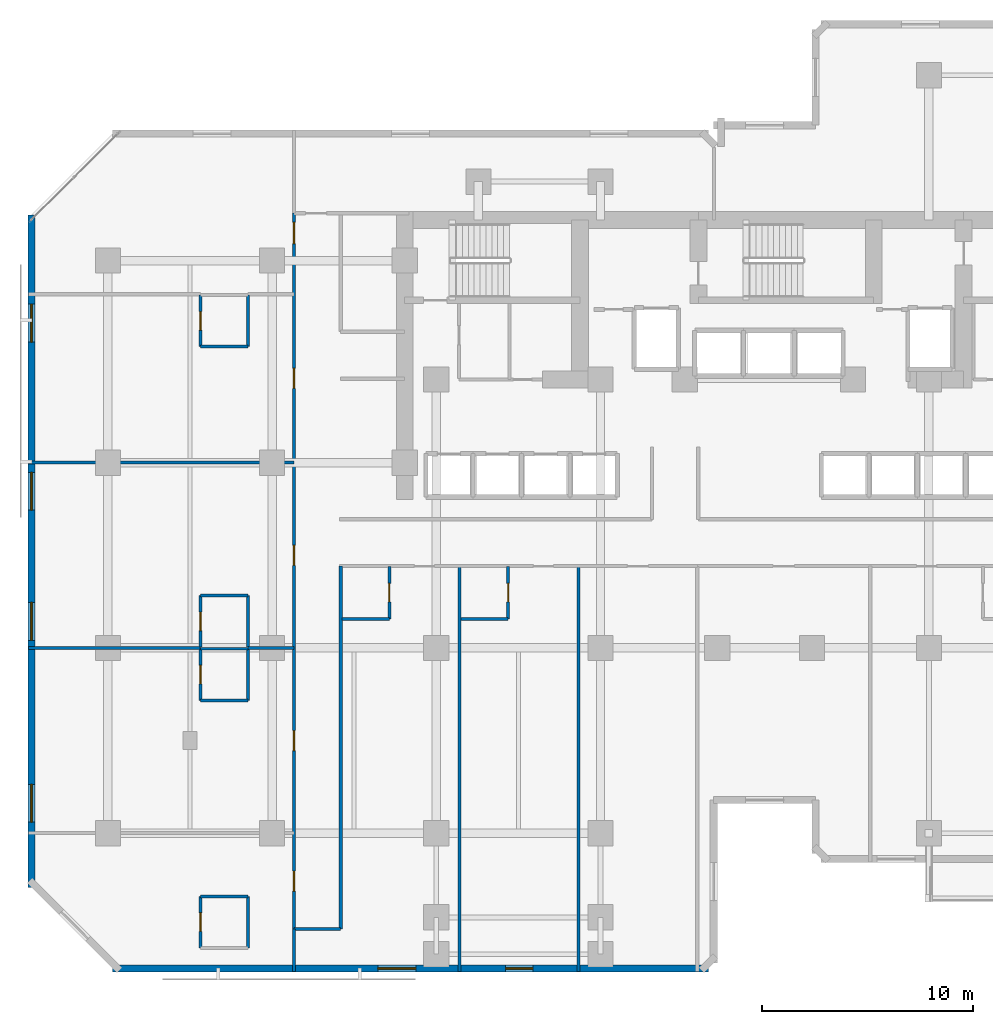
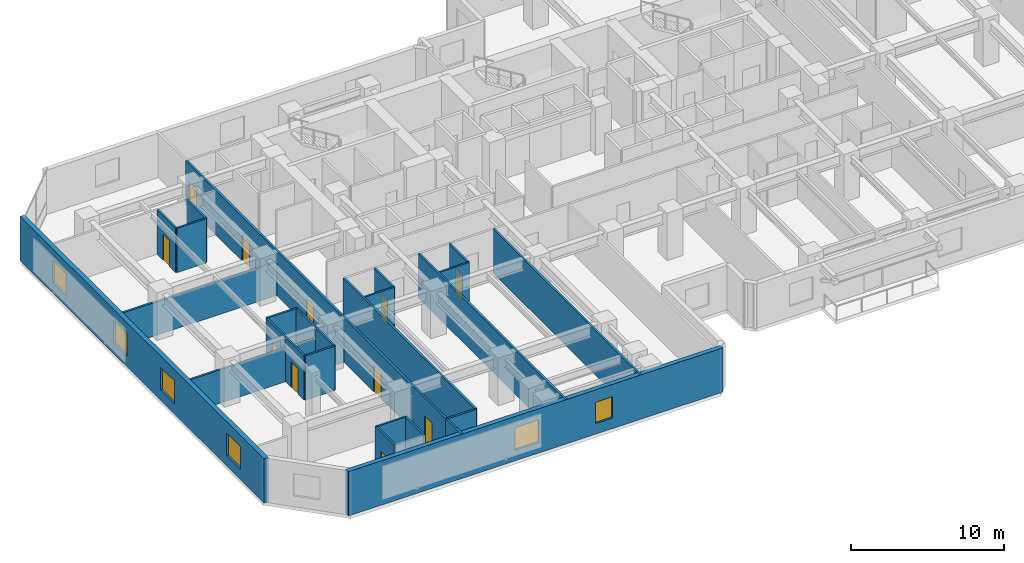
# One storey, part 6 of 13: 28 walls, 11 doors, 6 windows, 17 openings.
"""IFC4 building model written with IfcOpenShell, lengths in metres."""

from ifc_helpers import new_model, si_unit, direction, frame, frame_2d, origin, place, context, subcontext, project, spatial, rectangle, extrude, material, layer, layer_set, type_object, element, fill, save


model = new_model("IFC4")

# Units and contexts
model_context = context("Model", 3, precision=1e-05, world=origin(), true_north=direction((0.0, 1.0)))
body_context = subcontext(model_context, "Body", "Model", "MODEL_VIEW")
ifc_project = project(units=[si_unit("LENGTHUNIT", "METRE"), si_unit("AREAUNIT", "SQUARE_METRE"), si_unit("VOLUMEUNIT", "CUBIC_METRE"), si_unit("PLANEANGLEUNIT", "RADIAN"), si_unit("MASSUNIT", "GRAM", prefix="KILO")], contexts=[model_context])

# Site, building, storey
site_placement = place(None, origin())
site = spatial("IfcSite", under=ifc_project, at=site_placement, CompositionType="ELEMENT")
building_placement = place(site_placement, origin())
building = spatial("IfcBuilding", under=site, at=building_placement, Name="Kestravale Grand Hotel", CompositionType="ELEMENT")
storey_placement = place(building_placement, frame((0.0, 0.0, 88.0)))
storey = spatial("IfcBuildingStorey", under=building, at=storey_placement, Name="L21", CompositionType="ELEMENT", Elevation=88.0)

# Wall, openings, windows
ifc_material_1 = material(Name="Precast concrete f'c 45 MPa", Category="concrete")
ifc_layer_1 = layer(ifc_material_1, 0.340087890625)
ifc_layer_set_1 = layer_set([ifc_layer_1], Name="EW-PREC-340")
wall_type_1 = type_object("IfcWallType", Name="EW-PREC-340", PredefinedType="SOLIDWALL", material=ifc_layer_set_1)
wall_1_placement = place(storey_placement, frame((8.030029296875, 4.77001953125, 0.0), z_axis=(0.0, 0.0, 1.0), x_axis=(1.0, 0.0, 0.0)))
wall_1 = element("IfcWall", 1, at=wall_1_placement, inside=storey, type_object=wall_type_1, Name="L21 fluted precast facade wall 1", PredefinedType="SOLIDWALL", context=body_context, shape_type="SweptSolid", body=[
    extrude(rectangle(XDim=28.2900390625, YDim=0.340087890625, at=frame_2d((14.14501953125, 0.0))), origin(), (0.0, 0.0, 1.0), 3.5400390625),
])
opening_1_placement = place(wall_1_placement, frame((12.594970703125, 0.0, 0.85009765625)))
opening_1 = element("IfcOpeningElement", 2, at=opening_1_placement, cuts=wall_1, Name="Opening W-GUEST-1800", PredefinedType="OPENING", context=body_context, shape_type="SweptSolid", body=[
    extrude(rectangle(XDim=1.800048828125, YDim=1.800048828125, at=frame_2d((0.89990234375, 0.89990234375))), frame((0.0, 0.179931640625, 0.0), z_axis=(0.0, -1.0, 0.0), x_axis=(1.0, 0.0, 0.0)), (0.0, 0.0, 1.0), 0.360107421875),
])
opening_2_placement = place(wall_1_placement, frame((18.659912109375, 0.0, 0.85009765625)))
opening_2 = element("IfcOpeningElement", 3, at=opening_2_placement, cuts=wall_1, Name="Opening W-GUEST-1300", PredefinedType="OPENING", context=body_context, shape_type="SweptSolid", body=[
    extrude(rectangle(XDim=1.300048828125, YDim=1.699951171875, at=frame_2d((0.64990234375, 0.85009765625))), frame((0.0, 0.179931640625, 0.0), z_axis=(0.0, -1.0, 0.0), x_axis=(1.0, 0.0, 0.0)), (0.0, 0.0, 1.0), 0.360107421875),
])
ifc_material_2 = material(Name="Insulated low-E double glazing in aluminium frame", Category="aluminium")
window_type_1 = type_object("IfcWindowType", Name="W-GUEST-1300", PartitioningType="SINGLE_PANEL", PredefinedType="WINDOW", material=ifc_material_2)
window_1_placement = place(opening_2_placement, origin())
window_1 = element("IfcWindow", 4, at=window_1_placement, inside=storey, type_object=window_type_1, Name="L21 guestroom envelope window 1", OverallHeight=1.699951171875, OverallWidth=1.300048828125, PartitioningType="SINGLE_PANEL", PredefinedType="WINDOW", context=body_context, shape_type="SweptSolid", body=[
    extrude(rectangle(XDim=1.300048828125, YDim=1.699951171875, at=frame_2d((0.64990234375, 0.85009765625))), frame((0.0, 0.030029296875, 0.0), z_axis=(0.0, -1.0, 0.0), x_axis=(1.0, 0.0, 0.0)), (0.0, 0.0, 1.0), 0.06005859375),
])
fill(opening_2, window_1)
ifc_material_3 = material(Name="Insulated low-E double glazing in aluminium frame", Category="aluminium")
window_type_2 = type_object("IfcWindowType", Name="W-GUEST-1800", PartitioningType="DOUBLE_PANEL_VERTICAL", PredefinedType="WINDOW", material=ifc_material_3)
window_2_placement = place(opening_1_placement, origin())
window_2 = element("IfcWindow", 5, at=window_2_placement, inside=storey, type_object=window_type_2, Name="L21 exterior window 1.1", OverallHeight=1.800048828125, OverallWidth=1.800048828125, PartitioningType="SINGLE_PANEL", PredefinedType="WINDOW", context=body_context, shape_type="SweptSolid", body=[
    extrude(rectangle(XDim=1.800048828125, YDim=1.800048828125, at=frame_2d((0.89990234375, 0.89990234375))), frame((0.0, 0.030029296875, 0.0), z_axis=(0.0, -1.0, 0.0), x_axis=(1.0, 0.0, 0.0)), (0.0, 0.0, 1.0), 0.06005859375),
])
fill(opening_1, window_2)

wall_2_placement = place(storey_placement, frame((4.169921875, 40.570068359375, 0.0), z_axis=(0.0, 0.0, 1.0), x_axis=(0.0, -1.0, 0.0)))
wall_2 = element("IfcWall", 6, at=wall_2_placement, inside=storey, type_object=wall_type_1, Name="L21 fluted precast facade wall 19", PredefinedType="SOLIDWALL", context=body_context, shape_type="SweptSolid", body=[
    extrude(rectangle(XDim=31.940185546875, YDim=0.340087890625, at=frame_2d((15.97021484375, 0.0))), origin(), (0.0, 0.0, 1.0), 3.5400390625),
])
opening_3_placement = place(wall_2_placement, frame((4.242431640625, 0.0, 0.85009765625)))
opening_3 = element("IfcOpeningElement", 7, at=opening_3_placement, cuts=wall_2, Name="Opening W-GUEST-1800", PredefinedType="OPENING", context=body_context, shape_type="SweptSolid", body=[
    extrude(rectangle(XDim=1.800048828125, YDim=1.800048828125, at=frame_2d((0.89990234375, 0.89990234375))), frame((0.0, 0.179931640625, 0.0), z_axis=(0.0, -1.0, 0.0), x_axis=(1.0, 0.0, 0.0)), (0.0, 0.0, 1.0), 0.360107421875),
])
opening_4_placement = place(wall_2_placement, frame((12.2275390625, 0.0, 0.85009765625)))
opening_4 = element("IfcOpeningElement", 8, at=opening_4_placement, cuts=wall_2, Name="Opening W-GUEST-1800", PredefinedType="OPENING", context=body_context, shape_type="SweptSolid", body=[
    extrude(rectangle(XDim=1.800048828125, YDim=1.800048828125, at=frame_2d((0.89990234375, 0.89990234375))), frame((0.0, 0.179931640625, 0.0), z_axis=(0.0, -1.0, 0.0), x_axis=(1.0, 0.0, 0.0)), (0.0, 0.0, 1.0), 0.360107421875),
])
opening_5_placement = place(wall_2_placement, frame((18.41259765625, 0.0, 0.85009765625)))
opening_5 = element("IfcOpeningElement", 9, at=opening_5_placement, cuts=wall_2, Name="Opening W-GUEST-1800", PredefinedType="OPENING", context=body_context, shape_type="SweptSolid", body=[
    extrude(rectangle(XDim=1.800048828125, YDim=1.800048828125, at=frame_2d((0.89990234375, 0.89990234375))), frame((0.0, 0.179931640625, 0.0), z_axis=(0.0, -1.0, 0.0), x_axis=(1.0, 0.0, 0.0)), (0.0, 0.0, 1.0), 0.360107421875),
])
opening_6_placement = place(wall_2_placement, frame((27.047607421875, 0.0, 0.85009765625)))
opening_6 = element("IfcOpeningElement", 10, at=opening_6_placement, cuts=wall_2, Name="Opening W-GUEST-1800", PredefinedType="OPENING", context=body_context, shape_type="SweptSolid", body=[
    extrude(rectangle(XDim=1.800048828125, YDim=1.800048828125, at=frame_2d((0.89990234375, 0.89990234375))), frame((0.0, 0.179931640625, 0.0), z_axis=(0.0, -1.0, 0.0), x_axis=(1.0, 0.0, 0.0)), (0.0, 0.0, 1.0), 0.360107421875),
])
window_3_placement = place(opening_3_placement, origin())
window_3 = element("IfcWindow", 11, at=window_3_placement, inside=storey, type_object=window_type_2, Name="L21 exterior window 19.1", OverallHeight=1.800048828125, OverallWidth=1.800048828125, PartitioningType="SINGLE_PANEL", PredefinedType="WINDOW", context=body_context, shape_type="SweptSolid", body=[
    extrude(rectangle(XDim=1.800048828125, YDim=1.800048828125, at=frame_2d((0.89990234375, 0.89990234375))), frame((0.0, 0.030029296875, 0.0), z_axis=(0.0, -1.0, 0.0), x_axis=(1.0, 0.0, 0.0)), (0.0, 0.0, 1.0), 0.06005859375),
])
fill(opening_3, window_3)
window_4_placement = place(opening_4_placement, origin())
window_4 = element("IfcWindow", 12, at=window_4_placement, inside=storey, type_object=window_type_2, Name="L21 exterior window 19.2", OverallHeight=1.800048828125, OverallWidth=1.800048828125, PartitioningType="SINGLE_PANEL", PredefinedType="WINDOW", context=body_context, shape_type="SweptSolid", body=[
    extrude(rectangle(XDim=1.800048828125, YDim=1.800048828125, at=frame_2d((0.89990234375, 0.89990234375))), frame((0.0, 0.030029296875, 0.0), z_axis=(0.0, -1.0, 0.0), x_axis=(1.0, 0.0, 0.0)), (0.0, 0.0, 1.0), 0.06005859375),
])
fill(opening_4, window_4)
window_5_placement = place(opening_5_placement, origin())
window_5 = element("IfcWindow", 13, at=window_5_placement, inside=storey, type_object=window_type_2, Name="L21 exterior window 19.3", OverallHeight=1.800048828125, OverallWidth=1.800048828125, PartitioningType="SINGLE_PANEL", PredefinedType="WINDOW", context=body_context, shape_type="SweptSolid", body=[
    extrude(rectangle(XDim=1.800048828125, YDim=1.800048828125, at=frame_2d((0.89990234375, 0.89990234375))), frame((0.0, 0.030029296875, 0.0), z_axis=(0.0, -1.0, 0.0), x_axis=(1.0, 0.0, 0.0)), (0.0, 0.0, 1.0), 0.06005859375),
])
fill(opening_5, window_5)
window_6_placement = place(opening_6_placement, origin())
window_6 = element("IfcWindow", 14, at=window_6_placement, inside=storey, type_object=window_type_2, Name="L21 exterior window 19.4", OverallHeight=1.800048828125, OverallWidth=1.800048828125, PartitioningType="SINGLE_PANEL", PredefinedType="WINDOW", context=body_context, shape_type="SweptSolid", body=[
    extrude(rectangle(XDim=1.800048828125, YDim=1.800048828125, at=frame_2d((0.89990234375, 0.89990234375))), frame((0.0, 0.030029296875, 0.0), z_axis=(0.0, -1.0, 0.0), x_axis=(1.0, 0.0, 0.0)), (0.0, 0.0, 1.0), 0.06005859375),
])
fill(opening_6, window_6)

# Wall, openings, doors
ifc_material_4 = material(Name="Acoustic fire-rated gypsum board partition", Category="other")
ifc_layer_2 = layer(ifc_material_4, 0.159912109375)
ifc_layer_set_2 = layer_set([ifc_layer_2], Name="IW-CORR-160")
wall_type_2 = type_object("IfcWallType", Name="IW-CORR-160", PredefinedType="PARTITIONING", material=ifc_layer_set_2)
wall_3_placement = place(storey_placement, frame((16.639892578125, 6.64990234375, 0.0), z_axis=(0.0, 0.0, 1.0), x_axis=(0.0, 1.0, 0.0)))
wall_3 = element("IfcWall", 15, at=wall_3_placement, inside=storey, type_object=wall_type_2, Name="W-L21-SW-W", PredefinedType="PARTITIONING", context=body_context, shape_type="SweptSolid", body=[
    extrude(rectangle(XDim=34.0, YDim=0.159912109375, at=frame_2d((17.0, 0.0))), origin(), (0.0, 0.0, 1.0), 3.5400390625),
])
opening_7_placement = place(wall_3_placement, frame((1.800048828125, 0.0, 0.0)))
opening_7 = element("IfcOpeningElement", 16, at=opening_7_placement, cuts=wall_3, Name="Opening D-GUEST-950", PredefinedType="OPENING", context=body_context, shape_type="SweptSolid", body=[
    extrude(rectangle(XDim=0.949951171875, YDim=2.10009765625, at=frame_2d((0.47509765625, 1.050048828125))), frame((0.0, 0.08984375, 0.0), z_axis=(0.0, -1.0, 0.0), x_axis=(1.0, 0.0, 0.0)), (0.0, 0.0, 1.0), 0.179931640625),
])
opening_8_placement = place(wall_3_placement, frame((8.47509765625, 0.0, 0.0)))
opening_8 = element("IfcOpeningElement", 17, at=opening_8_placement, cuts=wall_3, Name="Opening D-GUEST-950", PredefinedType="OPENING", context=body_context, shape_type="SweptSolid", body=[
    extrude(rectangle(XDim=0.949951171875, YDim=2.10009765625, at=frame_2d((0.47509765625, 1.050048828125))), frame((0.0, 0.08984375, 0.0), z_axis=(0.0, -1.0, 0.0), x_axis=(1.0, 0.0, 0.0)), (0.0, 0.0, 1.0), 0.179931640625),
])
opening_9_placement = place(wall_3_placement, frame((17.27490234375, 0.0, 0.0)))
opening_9 = element("IfcOpeningElement", 18, at=opening_9_placement, cuts=wall_3, Name="Opening D-GUEST-950", PredefinedType="OPENING", context=body_context, shape_type="SweptSolid", body=[
    extrude(rectangle(XDim=0.949951171875, YDim=2.10009765625, at=frame_2d((0.47509765625, 1.050048828125))), frame((0.0, 0.08984375, 0.0), z_axis=(0.0, -1.0, 0.0), x_axis=(1.0, 0.0, 0.0)), (0.0, 0.0, 1.0), 0.179931640625),
])
opening_10_placement = place(wall_3_placement, frame((25.675048828125, 0.0, 0.0)))
opening_10 = element("IfcOpeningElement", 19, at=opening_10_placement, cuts=wall_3, Name="Opening D-GUEST-950", PredefinedType="OPENING", context=body_context, shape_type="SweptSolid", body=[
    extrude(rectangle(XDim=0.949951171875, YDim=2.10009765625, at=frame_2d((0.47509765625, 1.050048828125))), frame((0.0, 0.08984375, 0.0), z_axis=(0.0, -1.0, 0.0), x_axis=(1.0, 0.0, 0.0)), (0.0, 0.0, 1.0), 0.179931640625),
])
opening_11_placement = place(wall_3_placement, frame((32.56005859375, 0.0, 0.0)))
opening_11 = element("IfcOpeningElement", 20, at=opening_11_placement, cuts=wall_3, Name="Opening D-GUEST-1000", PredefinedType="OPENING", context=body_context, shape_type="SweptSolid", body=[
    extrude(rectangle(XDim=1.0, YDim=2.14990234375, at=frame_2d((0.5, 1.074951171875))), frame((0.0, 0.08984375, 0.0), z_axis=(0.0, -1.0, 0.0), x_axis=(1.0, 0.0, 0.0)), (0.0, 0.0, 1.0), 0.179931640625),
])
ifc_material_5 = material(Name="Accessible walnut veneer hotel entrance fire door", Category="wood")
door_type_1 = type_object("IfcDoorType", Name="D-GUEST-1000", OperationType="NOTDEFINED", PredefinedType="DOOR", material=ifc_material_5)
door_1_placement = place(opening_11_placement, origin())
door_1 = element("IfcDoor", 21, at=door_1_placement, inside=storey, type_object=door_type_1, Name="D-L21-AMWW", OperationType="SINGLE_SWING_LEFT", OverallHeight=2.14990234375, OverallWidth=1.0, PredefinedType="DOOR", context=body_context, shape_type="SweptSolid", body=[
    extrude(rectangle(XDim=1.0, YDim=2.14990234375, at=frame_2d((0.5, 1.074951171875))), frame((0.0, 0.02490234375, 0.0), z_axis=(0.0, -1.0, 0.0), x_axis=(1.0, 0.0, 0.0)), (0.0, 0.0, 1.0), 0.050048828125),
])
fill(opening_11, door_1)
ifc_material_6 = material(Name="Walnut veneer hotel guestroom entrance fire door", Category="wood")
door_type_2 = type_object("IfcDoorType", Name="D-GUEST-950", OperationType="NOTDEFINED", PredefinedType="DOOR", material=ifc_material_6)
door_2_placement = place(opening_7_placement, origin())
door_2 = element("IfcDoor", 22, at=door_2_placement, inside=storey, type_object=door_type_2, Name="D-L21-U05-ENT", OperationType="SINGLE_SWING_RIGHT", OverallHeight=2.10009765625, OverallWidth=0.949951171875, PredefinedType="DOOR", context=body_context, shape_type="SweptSolid", body=[
    extrude(rectangle(XDim=0.949951171875, YDim=2.10009765625, at=frame_2d((0.47509765625, 1.050048828125))), frame((0.0, 0.02490234375, 0.0), z_axis=(0.0, -1.0, 0.0), x_axis=(1.0, 0.0, 0.0)), (0.0, 0.0, 1.0), 0.050048828125),
])
fill(opening_7, door_2)
door_3_placement = place(opening_8_placement, origin())
door_3 = element("IfcDoor", 23, at=door_3_placement, inside=storey, type_object=door_type_2, Name="D-L21-U06-ENT", OperationType="SINGLE_SWING_RIGHT", OverallHeight=2.10009765625, OverallWidth=0.949951171875, PredefinedType="DOOR", context=body_context, shape_type="SweptSolid", body=[
    extrude(rectangle(XDim=0.949951171875, YDim=2.10009765625, at=frame_2d((0.47509765625, 1.050048828125))), frame((0.0, 0.02490234375, 0.0), z_axis=(0.0, -1.0, 0.0), x_axis=(1.0, 0.0, 0.0)), (0.0, 0.0, 1.0), 0.050048828125),
])
fill(opening_8, door_3)
door_4_placement = place(opening_9_placement, origin())
door_4 = element("IfcDoor", 24, at=door_4_placement, inside=storey, type_object=door_type_2, Name="D-L21-U07-ENT", OperationType="SINGLE_SWING_RIGHT", OverallHeight=2.10009765625, OverallWidth=0.949951171875, PredefinedType="DOOR", context=body_context, shape_type="SweptSolid", body=[
    extrude(rectangle(XDim=0.949951171875, YDim=2.10009765625, at=frame_2d((0.47509765625, 1.050048828125))), frame((0.0, 0.02490234375, 0.0), z_axis=(0.0, -1.0, 0.0), x_axis=(1.0, 0.0, 0.0)), (0.0, 0.0, 1.0), 0.050048828125),
])
fill(opening_9, door_4)
door_5_placement = place(opening_10_placement, origin())
door_5 = element("IfcDoor", 25, at=door_5_placement, inside=storey, type_object=door_type_2, Name="D-L21-U08-ENT", OperationType="SINGLE_SWING_RIGHT", OverallHeight=2.10009765625, OverallWidth=0.949951171875, PredefinedType="DOOR", context=body_context, shape_type="SweptSolid", body=[
    extrude(rectangle(XDim=0.949951171875, YDim=2.10009765625, at=frame_2d((0.47509765625, 1.050048828125))), frame((0.0, 0.02490234375, 0.0), z_axis=(0.0, -1.0, 0.0), x_axis=(1.0, 0.0, 0.0)), (0.0, 0.0, 1.0), 0.050048828125),
])
fill(opening_10, door_5)

# Wall
wall_4_placement = place(storey_placement, frame((18.860107421875, 6.64990234375, 0.0), z_axis=(0.0, 0.0, 1.0), x_axis=(0.0, 1.0, 0.0)))
element("IfcWall", 26, at=wall_4_placement, inside=storey, type_object=wall_type_2, Name="W-L21-SW-E", PredefinedType="PARTITIONING", context=body_context, shape_type="SweptSolid", body=[
    extrude(rectangle(XDim=17.239990234375, YDim=0.159912109375, at=frame_2d((8.6201171875, 0.0))), origin(), (0.0, 0.0, 1.0), 3.5400390625),
])

# Wall, opening, door
ifc_material_7 = material(Name="Moisture-resistant tile-backer plumbing chase wall", Category="other")
ifc_layer_3 = layer(ifc_material_7, 0.139892578125)
ifc_layer_set_3 = layer_set([ifc_layer_3], Name="IW-PLB-140")
wall_type_3 = type_object("IfcWallType", Name="IW-PLB-140", PredefinedType="PLUMBINGWALL", material=ifc_layer_set_3)
wall_5_placement = place(storey_placement, frame((21.169921875, 21.3798828125, 0.0), z_axis=(0.0, 0.0, 1.0), x_axis=(0.0, 1.0, 0.0)))
wall_5 = element("IfcWall", 27, at=wall_5_placement, inside=storey, type_object=wall_type_3, Name="W-L21-U01-BE", PredefinedType="PLUMBINGWALL", context=body_context, shape_type="SweptSolid", body=[
    extrude(rectangle(XDim=2.490234375, YDim=0.139892578125, at=frame_2d((1.2451171875, 0.0))), origin(), (0.0, 0.0, 1.0), 3.5400390625),
])
opening_12_placement = place(wall_5_placement, frame((0.804931640625, 0.0, 0.0)))
opening_12 = element("IfcOpeningElement", 28, at=opening_12_placement, cuts=wall_5, Name="Opening D-BATH-880", PredefinedType="OPENING", context=body_context, shape_type="SweptSolid", body=[
    extrude(rectangle(XDim=0.8798828125, YDim=2.050048828125, at=frame_2d((0.43994140625, 1.02490234375))), frame((0.0, 0.079833984375, 0.0), z_axis=(0.0, -1.0, 0.0), x_axis=(1.0, 0.0, 0.0)), (0.0, 0.0, 1.0), 0.159912109375),
])
ifc_material_8 = material(Name="Moisture-sealed walnut en-suite bathroom door", Category="wood")
door_type_3 = type_object("IfcDoorType", Name="D-BATH-880", OperationType="NOTDEFINED", PredefinedType="DOOR", material=ifc_material_8)
door_6_placement = place(opening_12_placement, origin())
door_6 = element("IfcDoor", 29, at=door_6_placement, inside=storey, type_object=door_type_3, Name="D-L21-U01-BATH", OperationType="SINGLE_SWING_LEFT", OverallHeight=2.050048828125, OverallWidth=0.8798828125, PredefinedType="DOOR", context=body_context, shape_type="SweptSolid", body=[
    extrude(rectangle(XDim=0.8798828125, YDim=2.050048828125, at=frame_2d((0.43994140625, 1.02490234375))), frame((0.0, 0.02490234375, 0.0), z_axis=(0.0, -1.0, 0.0), x_axis=(1.0, 0.0, 0.0)), (0.0, 0.0, 1.0), 0.050048828125),
])
fill(opening_12, door_6)

# Wall
wall_6_placement = place(storey_placement, frame((18.919921875, 21.3798828125, 0.0), z_axis=(0.0, 0.0, 1.0), x_axis=(1.0, 0.0, 0.0)))
element("IfcWall", 30, at=wall_6_placement, inside=storey, type_object=wall_type_3, Name="W-L21-U01-BS", PredefinedType="PLUMBINGWALL", context=body_context, shape_type="SweptSolid", body=[
    extrude(rectangle(XDim=2.25, YDim=0.139892578125, at=frame_2d((1.125, 0.0))), origin(), (0.0, 0.0, 1.0), 3.5400390625),
])

# Wall, opening, door
wall_7_placement = place(storey_placement, frame((26.816650390625, 21.3798828125, 0.0), z_axis=(0.0, 0.0, 1.0), x_axis=(0.0, 1.0, 0.0)))
wall_7 = element("IfcWall", 31, at=wall_7_placement, inside=storey, type_object=wall_type_3, Name="W-L21-U02-BE", PredefinedType="PLUMBINGWALL", context=body_context, shape_type="SweptSolid", body=[
    extrude(rectangle(XDim=2.490234375, YDim=0.139892578125, at=frame_2d((1.2451171875, 0.0))), origin(), (0.0, 0.0, 1.0), 3.5400390625),
])
opening_13_placement = place(wall_7_placement, frame((0.804931640625, 0.0, 0.0)))
opening_13 = element("IfcOpeningElement", 32, at=opening_13_placement, cuts=wall_7, Name="Opening D-BATH-880", PredefinedType="OPENING", context=body_context, shape_type="SweptSolid", body=[
    extrude(rectangle(XDim=0.8798828125, YDim=2.050048828125, at=frame_2d((0.43994140625, 1.02490234375))), frame((0.0, 0.079833984375, 0.0), z_axis=(0.0, -1.0, 0.0), x_axis=(1.0, 0.0, 0.0)), (0.0, 0.0, 1.0), 0.159912109375),
])
door_7_placement = place(opening_13_placement, origin())
door_7 = element("IfcDoor", 33, at=door_7_placement, inside=storey, type_object=door_type_3, Name="D-L21-U02-BATH", OperationType="SINGLE_SWING_LEFT", OverallHeight=2.050048828125, OverallWidth=0.8798828125, PredefinedType="DOOR", context=body_context, shape_type="SweptSolid", body=[
    extrude(rectangle(XDim=0.8798828125, YDim=2.050048828125, at=frame_2d((0.43994140625, 1.02490234375))), frame((0.0, 0.02490234375, 0.0), z_axis=(0.0, -1.0, 0.0), x_axis=(1.0, 0.0, 0.0)), (0.0, 0.0, 1.0), 0.050048828125),
])
fill(opening_13, door_7)

# Wall
wall_8_placement = place(storey_placement, frame((24.566650390625, 21.3798828125, 0.0), z_axis=(0.0, 0.0, 1.0), x_axis=(1.0, 0.0, 0.0)))
element("IfcWall", 34, at=wall_8_placement, inside=storey, type_object=wall_type_3, Name="W-L21-U02-BS", PredefinedType="PLUMBINGWALL", context=body_context, shape_type="SweptSolid", body=[
    extrude(rectangle(XDim=2.25, YDim=0.139892578125, at=frame_2d((1.125, 0.0))), origin(), (0.0, 0.0, 1.0), 3.5400390625),
])

# Wall, opening, door
wall_9_placement = place(storey_placement, frame((12.199951171875, 5.75, 0.0), z_axis=(0.0, 0.0, 1.0), x_axis=(0.0, 1.0, 0.0)))
wall_9 = element("IfcWall", 35, at=wall_9_placement, inside=storey, type_object=wall_type_3, Name="W-L21-U05-BW", PredefinedType="PLUMBINGWALL", context=body_context, shape_type="SweptSolid", body=[
    extrude(rectangle(XDim=2.449951171875, YDim=0.139892578125, at=frame_2d((1.22509765625, 0.0))), origin(), (0.0, 0.0, 1.0), 3.5400390625),
])
opening_14_placement = place(wall_9_placement, frame((0.784912109375, 0.0, 0.0)))
opening_14 = element("IfcOpeningElement", 36, at=opening_14_placement, cuts=wall_9, Name="Opening D-BATH-880", PredefinedType="OPENING", context=body_context, shape_type="SweptSolid", body=[
    extrude(rectangle(XDim=0.8798828125, YDim=2.050048828125, at=frame_2d((0.43994140625, 1.02490234375))), frame((0.0, 0.079833984375, 0.0), z_axis=(0.0, -1.0, 0.0), x_axis=(1.0, 0.0, 0.0)), (0.0, 0.0, 1.0), 0.159912109375),
])
door_8_placement = place(opening_14_placement, origin())
door_8 = element("IfcDoor", 37, at=door_8_placement, inside=storey, type_object=door_type_3, Name="D-L21-U05-BATH", OperationType="SINGLE_SWING_LEFT", OverallHeight=2.050048828125, OverallWidth=0.8798828125, PredefinedType="DOOR", context=body_context, shape_type="SweptSolid", body=[
    extrude(rectangle(XDim=0.8798828125, YDim=2.050048828125, at=frame_2d((0.43994140625, 1.02490234375))), frame((0.0, 0.02490234375, 0.0), z_axis=(0.0, -1.0, 0.0), x_axis=(1.0, 0.0, 0.0)), (0.0, 0.0, 1.0), 0.050048828125),
])
fill(opening_14, door_8)

# Walls
wall_10_placement = place(storey_placement, frame((14.449951171875, 5.75, 0.0), z_axis=(0.0, 0.0, 1.0), x_axis=(0.0, 1.0, 0.0)))
element("IfcWall", 38, at=wall_10_placement, inside=storey, type_object=wall_type_3, Name="W-L21-U05-BE", PredefinedType="PLUMBINGWALL", context=body_context, shape_type="SweptSolid", body=[
    extrude(rectangle(XDim=2.449951171875, YDim=0.139892578125, at=frame_2d((1.22509765625, 0.0))), origin(), (0.0, 0.0, 1.0), 3.5400390625),
])
wall_11_placement = place(storey_placement, frame((12.199951171875, 8.199951171875, 0.0), z_axis=(0.0, 0.0, 1.0), x_axis=(1.0, 0.0, 0.0)))
element("IfcWall", 39, at=wall_11_placement, inside=storey, type_object=wall_type_3, Name="W-L21-U05-BN", PredefinedType="PLUMBINGWALL", context=body_context, shape_type="SweptSolid", body=[
    extrude(rectangle(XDim=2.25, YDim=0.139892578125, at=frame_2d((1.125, 0.0))), origin(), (0.0, 0.0, 1.0), 3.5400390625),
])

# Wall, opening, door
wall_12_placement = place(storey_placement, frame((12.199951171875, 17.510009765625, 0.0), z_axis=(0.0, 0.0, 1.0), x_axis=(0.0, 1.0, 0.0)))
wall_12 = element("IfcWall", 40, at=wall_12_placement, inside=storey, type_object=wall_type_3, Name="W-L21-U06-BW", PredefinedType="PLUMBINGWALL", context=body_context, shape_type="SweptSolid", body=[
    extrude(rectangle(XDim=2.449951171875, YDim=0.139892578125, at=frame_2d((1.22509765625, 0.0))), origin(), (0.0, 0.0, 1.0), 3.5400390625),
])
opening_15_placement = place(wall_12_placement, frame((0.784912109375, 0.0, 0.0)))
opening_15 = element("IfcOpeningElement", 41, at=opening_15_placement, cuts=wall_12, Name="Opening D-BATH-880", PredefinedType="OPENING", context=body_context, shape_type="SweptSolid", body=[
    extrude(rectangle(XDim=0.8798828125, YDim=2.050048828125, at=frame_2d((0.43994140625, 1.02490234375))), frame((0.0, 0.079833984375, 0.0), z_axis=(0.0, -1.0, 0.0), x_axis=(1.0, 0.0, 0.0)), (0.0, 0.0, 1.0), 0.159912109375),
])
door_9_placement = place(opening_15_placement, origin())
door_9 = element("IfcDoor", 42, at=door_9_placement, inside=storey, type_object=door_type_3, Name="D-L21-U06-BATH", OperationType="SINGLE_SWING_LEFT", OverallHeight=2.050048828125, OverallWidth=0.8798828125, PredefinedType="DOOR", context=body_context, shape_type="SweptSolid", body=[
    extrude(rectangle(XDim=0.8798828125, YDim=2.050048828125, at=frame_2d((0.43994140625, 1.02490234375))), frame((0.0, 0.02490234375, 0.0), z_axis=(0.0, -1.0, 0.0), x_axis=(1.0, 0.0, 0.0)), (0.0, 0.0, 1.0), 0.050048828125),
])
fill(opening_15, door_9)

# Walls
wall_13_placement = place(storey_placement, frame((14.449951171875, 17.510009765625, 0.0), z_axis=(0.0, 0.0, 1.0), x_axis=(0.0, 1.0, 0.0)))
element("IfcWall", 43, at=wall_13_placement, inside=storey, type_object=wall_type_3, Name="W-L21-U06-BE", PredefinedType="PLUMBINGWALL", context=body_context, shape_type="SweptSolid", body=[
    extrude(rectangle(XDim=2.449951171875, YDim=0.139892578125, at=frame_2d((1.22509765625, 0.0))), origin(), (0.0, 0.0, 1.0), 3.5400390625),
])
wall_14_placement = place(storey_placement, frame((12.199951171875, 17.510009765625, 0.0), z_axis=(0.0, 0.0, 1.0), x_axis=(1.0, 0.0, 0.0)))
element("IfcWall", 44, at=wall_14_placement, inside=storey, type_object=wall_type_3, Name="W-L21-U06-BS", PredefinedType="PLUMBINGWALL", context=body_context, shape_type="SweptSolid", body=[
    extrude(rectangle(XDim=2.25, YDim=0.139892578125, at=frame_2d((1.125, 0.0))), origin(), (0.0, 0.0, 1.0), 3.5400390625),
])
wall_15_placement = place(storey_placement, frame((12.199951171875, 19.9599609375, 0.0), z_axis=(0.0, 0.0, 1.0), x_axis=(1.0, 0.0, 0.0)))
element("IfcWall", 45, at=wall_15_placement, inside=storey, type_object=wall_type_3, Name="W-L21-U06-BN", PredefinedType="PLUMBINGWALL", context=body_context, shape_type="SweptSolid", body=[
    extrude(rectangle(XDim=2.25, YDim=0.139892578125, at=frame_2d((1.125, 0.0))), origin(), (0.0, 0.0, 1.0), 2.678955078125),
])

# Wall, opening, door
wall_16_placement = place(storey_placement, frame((12.199951171875, 20.0400390625, 0.0), z_axis=(0.0, 0.0, 1.0), x_axis=(0.0, 1.0, 0.0)))
wall_16 = element("IfcWall", 46, at=wall_16_placement, inside=storey, type_object=wall_type_3, Name="W-L21-U07-BW", PredefinedType="PLUMBINGWALL", context=body_context, shape_type="SweptSolid", body=[
    extrude(rectangle(XDim=2.449951171875, YDim=0.139892578125, at=frame_2d((1.22509765625, 0.0))), origin(), (0.0, 0.0, 1.0), 3.5400390625),
])
opening_16_placement = place(wall_16_placement, frame((0.784912109375, 0.0, 0.0)))
opening_16 = element("IfcOpeningElement", 47, at=opening_16_placement, cuts=wall_16, Name="Opening D-BATH-880", PredefinedType="OPENING", context=body_context, shape_type="SweptSolid", body=[
    extrude(rectangle(XDim=0.8798828125, YDim=2.050048828125, at=frame_2d((0.43994140625, 1.02490234375))), frame((0.0, 0.079833984375, 0.0), z_axis=(0.0, -1.0, 0.0), x_axis=(1.0, 0.0, 0.0)), (0.0, 0.0, 1.0), 0.159912109375),
])
door_10_placement = place(opening_16_placement, origin())
door_10 = element("IfcDoor", 48, at=door_10_placement, inside=storey, type_object=door_type_3, Name="D-L21-U07-BATH", OperationType="SINGLE_SWING_LEFT", OverallHeight=2.050048828125, OverallWidth=0.8798828125, PredefinedType="DOOR", context=body_context, shape_type="SweptSolid", body=[
    extrude(rectangle(XDim=0.8798828125, YDim=2.050048828125, at=frame_2d((0.43994140625, 1.02490234375))), frame((0.0, 0.02490234375, 0.0), z_axis=(0.0, -1.0, 0.0), x_axis=(1.0, 0.0, 0.0)), (0.0, 0.0, 1.0), 0.050048828125),
])
fill(opening_16, door_10)

# Walls
wall_17_placement = place(storey_placement, frame((14.449951171875, 20.0400390625, 0.0), z_axis=(0.0, 0.0, 1.0), x_axis=(0.0, 1.0, 0.0)))
element("IfcWall", 49, at=wall_17_placement, inside=storey, type_object=wall_type_3, Name="W-L21-U07-BE", PredefinedType="PLUMBINGWALL", context=body_context, shape_type="SweptSolid", body=[
    extrude(rectangle(XDim=2.449951171875, YDim=0.139892578125, at=frame_2d((1.22509765625, 0.0))), origin(), (0.0, 0.0, 1.0), 3.5400390625),
])
wall_18_placement = place(storey_placement, frame((12.199951171875, 22.489990234375, 0.0), z_axis=(0.0, 0.0, 1.0), x_axis=(1.0, 0.0, 0.0)))
element("IfcWall", 50, at=wall_18_placement, inside=storey, type_object=wall_type_3, Name="W-L21-U07-BN", PredefinedType="PLUMBINGWALL", context=body_context, shape_type="SweptSolid", body=[
    extrude(rectangle(XDim=2.25, YDim=0.139892578125, at=frame_2d((1.125, 0.0))), origin(), (0.0, 0.0, 1.0), 3.5400390625),
])

# Wall, opening, door
wall_19_placement = place(storey_placement, frame((12.199951171875, 34.31005859375, 0.0), z_axis=(0.0, 0.0, 1.0), x_axis=(0.0, 1.0, 0.0)))
wall_19 = element("IfcWall", 51, at=wall_19_placement, inside=storey, type_object=wall_type_3, Name="W-L21-U08-BW", PredefinedType="PLUMBINGWALL", context=body_context, shape_type="SweptSolid", body=[
    extrude(rectangle(XDim=2.449951171875, YDim=0.139892578125, at=frame_2d((1.22509765625, 0.0))), origin(), (0.0, 0.0, 1.0), 3.5400390625),
])
opening_17_placement = place(wall_19_placement, frame((0.784912109375, 0.0, 0.0)))
opening_17 = element("IfcOpeningElement", 52, at=opening_17_placement, cuts=wall_19, Name="Opening D-BATH-880", PredefinedType="OPENING", context=body_context, shape_type="SweptSolid", body=[
    extrude(rectangle(XDim=0.8798828125, YDim=2.050048828125, at=frame_2d((0.43994140625, 1.02490234375))), frame((0.0, 0.079833984375, 0.0), z_axis=(0.0, -1.0, 0.0), x_axis=(1.0, 0.0, 0.0)), (0.0, 0.0, 1.0), 0.159912109375),
])
door_11_placement = place(opening_17_placement, origin())
door_11 = element("IfcDoor", 53, at=door_11_placement, inside=storey, type_object=door_type_3, Name="D-L21-U08-BATH", OperationType="SINGLE_SWING_LEFT", OverallHeight=2.050048828125, OverallWidth=0.8798828125, PredefinedType="DOOR", context=body_context, shape_type="SweptSolid", body=[
    extrude(rectangle(XDim=0.8798828125, YDim=2.050048828125, at=frame_2d((0.43994140625, 1.02490234375))), frame((0.0, 0.02490234375, 0.0), z_axis=(0.0, -1.0, 0.0), x_axis=(1.0, 0.0, 0.0)), (0.0, 0.0, 1.0), 0.050048828125),
])
fill(opening_17, door_11)

# Walls
wall_20_placement = place(storey_placement, frame((14.449951171875, 34.31005859375, 0.0), z_axis=(0.0, 0.0, 1.0), x_axis=(0.0, 1.0, 0.0)))
element("IfcWall", 54, at=wall_20_placement, inside=storey, type_object=wall_type_3, Name="W-L21-U08-BE", PredefinedType="PLUMBINGWALL", context=body_context, shape_type="SweptSolid", body=[
    extrude(rectangle(XDim=2.449951171875, YDim=0.139892578125, at=frame_2d((1.22509765625, 0.0))), origin(), (0.0, 0.0, 1.0), 3.5400390625),
])
wall_21_placement = place(storey_placement, frame((12.199951171875, 34.31005859375, 0.0), z_axis=(0.0, 0.0, 1.0), x_axis=(1.0, 0.0, 0.0)))
element("IfcWall", 55, at=wall_21_placement, inside=storey, type_object=wall_type_3, Name="W-L21-U08-BS", PredefinedType="PLUMBINGWALL", context=body_context, shape_type="SweptSolid", body=[
    extrude(rectangle(XDim=2.25, YDim=0.139892578125, at=frame_2d((1.125, 0.0))), origin(), (0.0, 0.0, 1.0), 3.5400390625),
])
ifc_material_9 = material(Name="Double-stud STC 52 acoustic demising partition", Category="other")
ifc_layer_4 = layer(ifc_material_9, 0.14990234375)
ifc_layer_set_4 = layer_set([ifc_layer_4], Name="IW-UNIT-150")
wall_type_4 = type_object("IfcWallType", Name="IW-UNIT-150", PredefinedType="PARTITIONING", material=ifc_layer_set_4)
wall_22_placement = place(storey_placement, frame((16.639892578125, 6.64990234375, 0.0), z_axis=(0.0, 0.0, 1.0), x_axis=(1.0, 0.0, 0.0)))
element("IfcWall", 56, at=wall_22_placement, inside=storey, type_object=wall_type_4, Name="W-L21-SW-S", PredefinedType="PARTITIONING", context=body_context, shape_type="SweptSolid", body=[
    extrude(rectangle(XDim=2.22021484375, YDim=0.14990234375, at=frame_2d((1.110107421875, 0.0))), origin(), (0.0, 0.0, 1.0), 3.5400390625),
])
for number, where, z_axis, x_axis, name in (
    (57, (24.506591796875, 4.6201171875, 0.0), (0.0, 0.0, 1.0), (0.0, 1.0, 0.0), "W-L21-WS-1"),
    (58, (30.1533203125, 4.6201171875, 0.0), (0.0, 0.0, 1.0), (0.0, 1.0, 0.0), "W-L21-WS-2"),
):
    element("IfcWall", number, at=place(storey_placement, frame(where, z_axis=z_axis, x_axis=x_axis)), inside=storey, type_object=wall_type_4, Name=name, PredefinedType="PARTITIONING", context=body_context, shape_type="SweptSolid", body=[
        extrude(rectangle(XDim=19.269775390625, YDim=0.14990234375, at=frame_2d((9.634765625, 0.0))), origin(), (0.0, 0.0, 1.0), 3.5400390625),
    ])
wall_23_placement = place(storey_placement, frame((16.639892578125, 4.6201171875, 0.0), z_axis=(0.0, 0.0, 1.0), x_axis=(0.0, 1.0, 0.0)))
element("IfcWall", 59, at=wall_23_placement, inside=storey, type_object=wall_type_4, Name="W-L21-SW-EXT", PredefinedType="PARTITIONING", context=body_context, shape_type="SweptSolid", body=[
    extrude(rectangle(XDim=2.02978515625, YDim=0.14990234375, at=frame_2d((1.014892578125, 0.0))), origin(), (0.0, 0.0, 1.0), 3.5400390625),
])
wall_24_placement = place(storey_placement, frame((4.02001953125, 20.0, 0.0), z_axis=(0.0, 0.0, 1.0), x_axis=(1.0, 0.0, 0.0)))
element("IfcWall", 60, at=wall_24_placement, inside=storey, type_object=wall_type_4, Name="W-L21-WW-2", PredefinedType="PARTITIONING", context=body_context, shape_type="SweptSolid", body=[
    extrude(rectangle(XDim=8.179931640625, YDim=0.14990234375, at=frame_2d((4.08984375, 0.0))), origin(), (0.0, 0.0, 1.0), 2.678955078125),
])
wall_25_placement = place(storey_placement, frame((14.449951171875, 20.0, 0.0), z_axis=(0.0, 0.0, 1.0), x_axis=(1.0, 0.0, 0.0)))
element("IfcWall", 61, at=wall_25_placement, inside=storey, type_object=wall_type_4, Name="W-L21-WW-2", PredefinedType="PARTITIONING", context=body_context, shape_type="SweptSolid", body=[
    extrude(rectangle(XDim=2.18994140625, YDim=0.14990234375, at=frame_2d((1.094970703125, 0.0))), origin(), (0.0, 0.0, 1.0), 2.678955078125),
])
wall_26_placement = place(storey_placement, frame((4.02001953125, 28.800048828125, 0.0), z_axis=(0.0, 0.0, 1.0), x_axis=(1.0, 0.0, 0.0)))
element("IfcWall", 62, at=wall_26_placement, inside=storey, type_object=wall_type_4, Name="W-L21-WW-3", PredefinedType="PARTITIONING", context=body_context, shape_type="SweptSolid", body=[
    extrude(rectangle(XDim=12.619873046875, YDim=0.14990234375, at=frame_2d((6.31005859375, 0.0))), origin(), (0.0, 0.0, 1.0), 2.678955078125),
])

save(model, "model.ifc")
